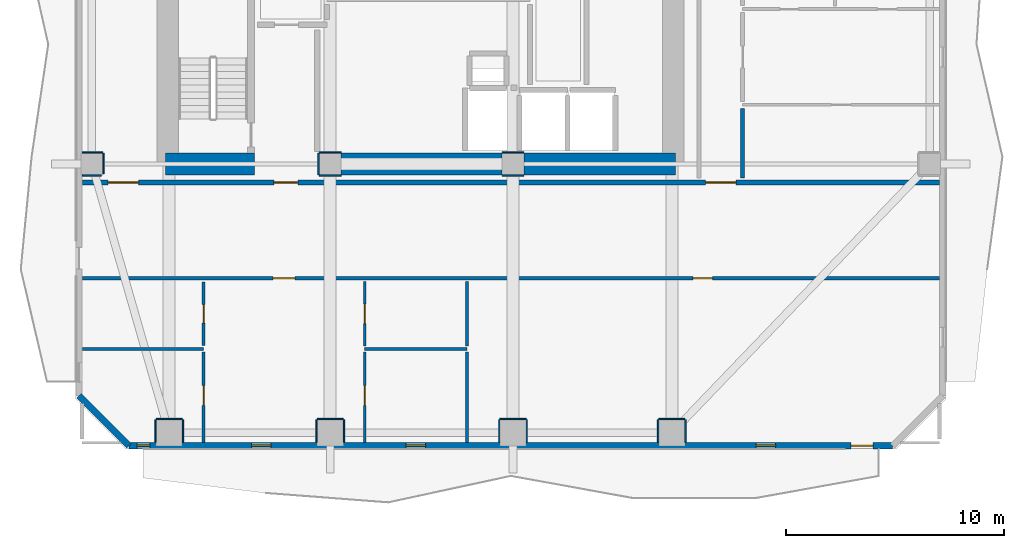
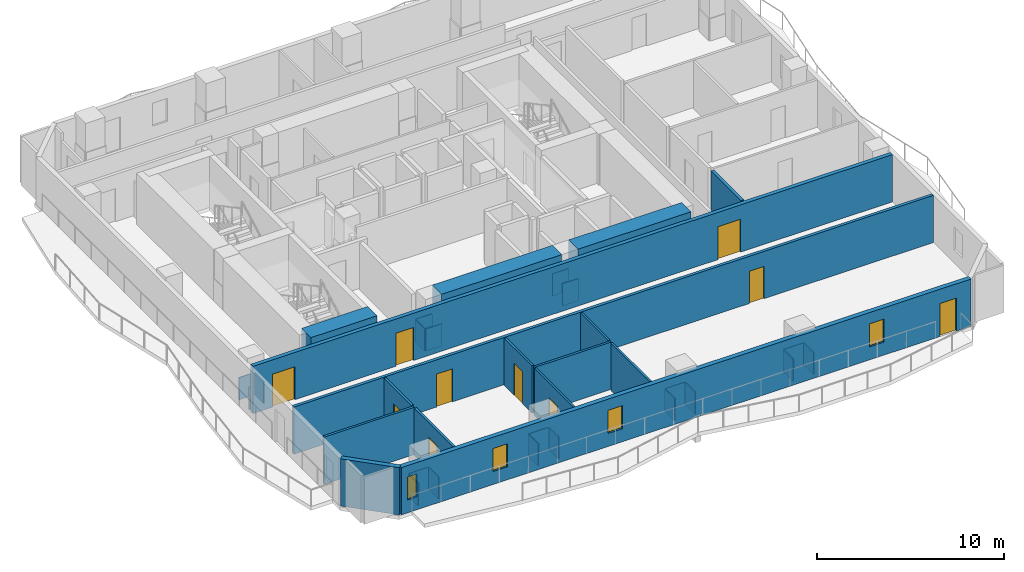
# One storey, part 2 of 9: 36 walls, 10 doors, 4 windows, 14 openings.
"""IFC4 building model written with IfcOpenShell, lengths in metres."""

import ifcopenshell
import ifcopenshell.guid

model = None  # the IFC model being written
_history = None  # IfcOwnerHistory: only IFC2X3 demands one
_inside = {}  # id of a spatial element -> (the spatial element, [elements in it])
_under = {}  # id of a project, library or spatial element -> (it, [spatial elements below it])
_declared = {}  # id of a project -> (the project, [libraries it declares])
_typed = {}  # id of a type object -> (the type object, [elements of that type])
_made_of = {}  # id of a material, layer set ... -> (it, [elements and type objects made of it])


def new_model(schema):
    """Start an empty IFC model of exactly this schema.

    Asked for "IFC4X3", IfcOpenShell would pick the latest addendum, in which some entities
    have other attributes; the version numbers below select the first issue.
    IFC2X3 requires an IfcOwnerHistory on every rooted entity: one is made here for all.
    """
    global model, _history
    if schema == "IFC4X3":
        model = ifcopenshell.file(schema_version=(4, 3, 0, 0))
    else:
        model = ifcopenshell.file(schema=schema)
    _inside.clear()
    _under.clear()
    _declared.clear()
    _typed.clear()
    _made_of.clear()
    _history = None
    if model.schema == "IFC2X3":
        org = make("IfcOrganization", Name="unknown")
        user = make(
            "IfcPersonAndOrganization",
            ThePerson=make("IfcPerson", FamilyName="unknown"),
            TheOrganization=org,
        )
        app = make(
            "IfcApplication",
            ApplicationDeveloper=org,
            Version="unknown",
            ApplicationFullName="unknown",
            ApplicationIdentifier="unknown",
        )
        _history = make(
            "IfcOwnerHistory",
            OwningUser=user,
            OwningApplication=app,
            ChangeAction="ADDED",
            CreationDate=0,
        )
    return model


def make(cls, **values):
    """One entity of the class cls with the attributes given. An attribute that is None is left unset."""
    return model.create_entity(
        cls, **{name: value for name, value in values.items() if value is not None}
    )


def rooted(cls, **values):
    """An entity with a GlobalId (a new one), such as an element, a storey or a relation."""
    return make(cls, GlobalId=ifcopenshell.guid.new(), OwnerHistory=_history, **values)


def si_unit(unit_type, name, prefix=None):
    """IfcSIUnit, for example si_unit("LENGTHUNIT", "METRE", prefix="MILLI")."""
    return make("IfcSIUnit", UnitType=unit_type, Prefix=prefix, Name=name)


def assignment(units):
    """IfcUnitAssignment: the units of a project."""
    return None if units is None else make("IfcUnitAssignment", Units=units)


def point(xyz):
    """IfcCartesianPoint."""
    return None if xyz is None else make("IfcCartesianPoint", Coordinates=xyz)


def direction(xyz):
    """IfcDirection."""
    return None if xyz is None else make("IfcDirection", DirectionRatios=xyz)


def frame(location, z_axis=None, x_axis=None):
    """IfcAxis2Placement3D, a coordinate frame: its origin and axes. An axis left out is left unset."""
    return make(
        "IfcAxis2Placement3D",
        Location=point(location),
        Axis=direction(z_axis),
        RefDirection=direction(x_axis),
    )


def frame_2d(location, x_axis=None):
    """IfcAxis2Placement2D, a coordinate frame in the plane: its origin and x axis."""
    return make(
        "IfcAxis2Placement2D", Location=point(location), RefDirection=direction(x_axis)
    )


def origin():
    """The frame at (0, 0, 0) with its axes left unset."""
    return frame((0.0, 0.0, 0.0))


def place(relative_to, where):
    """IfcLocalPlacement: puts the frame where relative to a parent placement (None: the world)."""
    return make(
        "IfcLocalPlacement", PlacementRelTo=relative_to, RelativePlacement=where
    )


def context(
    kind, dimensions, precision=None, world=None, true_north=None, identifier=None
):
    """IfcGeometricRepresentationContext, for example the 3D "Model" context."""
    return make(
        "IfcGeometricRepresentationContext",
        ContextIdentifier=identifier,
        ContextType=kind,
        CoordinateSpaceDimension=dimensions,
        Precision=precision,
        WorldCoordinateSystem=world,
        TrueNorth=true_north,
    )


def subcontext(parent, identifier, kind, view, scale=None):
    """IfcGeometricRepresentationSubContext, for example "Body" below "Model"."""
    return make(
        "IfcGeometricRepresentationSubContext",
        ContextIdentifier=identifier,
        ContextType=kind,
        ParentContext=parent,
        TargetScale=scale,
        TargetView=view,
    )


def project(units=None, contexts=None):
    """IfcProject with its units and contexts."""
    return rooted(
        "IfcProject",
        Name="project",
        RepresentationContexts=contexts,
        UnitsInContext=assignment(units),
    )


def spatial(cls, under=None, at=None, **own):
    """A site, building, storey or space (cls), placed at a placement, below another one or the project."""
    s = rooted(cls, ObjectPlacement=at, **own)
    if under is not None:
        _under.setdefault(under.id(), (under, []))[1].append(s)
    return s


def profile(cls, at=None, kind="AREA", **sizes):
    """A parametric profile (cls). Its sizes go by their IFC names, for example OverallWidth=200.0."""
    return make(cls, ProfileType=kind, Position=at, **sizes)


def rectangle(**sizes):
    """IfcRectangleProfileDef."""
    return profile("IfcRectangleProfileDef", **sizes)


def extrude(swept, where, along, depth):
    """IfcExtrudedAreaSolid: the profile swept, set in the frame where, extruded along a direction by depth."""
    return make(
        "IfcExtrudedAreaSolid",
        SweptArea=swept,
        Position=where,
        ExtrudedDirection=direction(along),
        Depth=depth,
    )


def shape(context_of_items, identifier, shape_type, items):
    """IfcShapeRepresentation: the items that make up one representation, for example the "Body"."""
    return make(
        "IfcShapeRepresentation",
        ContextOfItems=context_of_items,
        RepresentationIdentifier=identifier,
        RepresentationType=shape_type,
        Items=items,
    )


def material(Name=None, Category=None):
    """IfcMaterial."""
    return make("IfcMaterial", Name=Name, Category=Category)


def layer(
    of_material, thickness, ventilated=None, Name=None, Category=None, Priority=None
):
    """IfcMaterialLayer: one layer of a wall or slab, of a material (None: an air gap)."""
    return make(
        "IfcMaterialLayer",
        Material=of_material,
        LayerThickness=thickness,
        IsVentilated=ventilated,
        Name=Name,
        Category=Category,
        Priority=Priority,
    )


def layer_set(layers, Name=None):
    """IfcMaterialLayerSet."""
    return make("IfcMaterialLayerSet", MaterialLayers=layers, LayerSetName=Name)


def made_of(thing, what):
    """Note that an element or type object is made of a material, layer set ...; save() writes the relation."""
    if what is not None:
        _made_of.setdefault(what.id(), (what, []))[1].append(thing)
    return thing


def type_object(cls, material=None, **own):
    """A type object (cls), such as IfcWallType, which elements share."""
    return made_of(rooted(cls, **own), material)


def element(
    cls,
    number,
    at=None,
    inside=None,
    cuts=None,
    type_object=None,
    material=None,
    context=None,
    identifier="Body",
    shape_type=None,
    held_by="IfcProductDefinitionShape",
    body=None,
    shapes=None,
    **own,
):
    """One element of the class cls, such as IfcWall. Its Tag is "e" and its number.

    at: its placement. inside: the storey or other place that contains it. cuts: it is an
    opening in that element (IfcRelVoidsElement). A single representation is given by context,
    identifier, shape_type and body (its items); several are given by shapes. held_by: the class
    of the entity that holds the representations. save() writes the other relations.
    """
    e = rooted(cls, Tag="e%d" % number, ObjectPlacement=at, **own)
    if body is not None:
        shapes = [shape(context, identifier, shape_type, body)]
    if shapes is not None:
        e.Representation = make(held_by, Representations=shapes)
    if inside is not None:
        _inside.setdefault(inside.id(), (inside, []))[1].append(e)
    if cuts is not None:
        rooted(
            "IfcRelVoidsElement", RelatingBuildingElement=cuts, RelatedOpeningElement=e
        )
    if type_object is not None:
        _typed.setdefault(type_object.id(), (type_object, []))[1].append(e)
    return made_of(e, material)


def fill(opening, filler):
    """IfcRelFillsElement: the door or window that sits in an opening."""
    return rooted(
        "IfcRelFillsElement",
        RelatingOpeningElement=opening,
        RelatedBuildingElement=filler,
    )


def aggregate(whole, parts):
    """IfcRelAggregates: a whole, such as a stair, and the parts it consists of."""
    return rooted("IfcRelAggregates", RelatingObject=whole, RelatedObjects=parts)


def save(model, path):
    """Write the relations noted so far, then the file.

    IfcRelAggregates (storeys below a building ...), IfcRelContainedInSpatialStructure (elements
    in a storey), IfcRelDefinesByType, IfcRelAssociatesMaterial and IfcRelDeclares: one each for
    every whole, place, type object, material and project.
    """
    for whole, parts in _under.values():
        aggregate(whole, parts)
    for where, things in _inside.values():
        rooted(
            "IfcRelContainedInSpatialStructure",
            RelatedElements=things,
            RelatingStructure=where,
        )
    for kind, things in _typed.values():
        rooted("IfcRelDefinesByType", RelatedObjects=things, RelatingType=kind)
    for what, things in _made_of.values():
        rooted("IfcRelAssociatesMaterial", RelatedObjects=things, RelatingMaterial=what)
    for by, libraries in _declared.values():
        rooted("IfcRelDeclares", RelatingContext=by, RelatedDefinitions=libraries)
    model.write(path)


model = new_model("IFC4")

# Units and contexts
model_context = context("Model", 3, precision=1e-05, world=origin(), true_north=direction((0.0, 1.0)))
body_context = subcontext(model_context, "Body", "Model", "MODEL_VIEW")
ifc_project = project(units=[si_unit("LENGTHUNIT", "METRE"), si_unit("AREAUNIT", "SQUARE_METRE"), si_unit("VOLUMEUNIT", "CUBIC_METRE"), si_unit("PLANEANGLEUNIT", "RADIAN"), si_unit("MASSUNIT", "GRAM", prefix="KILO")], contexts=[model_context])

# Site, building, storey
site_placement = place(None, origin())
site = spatial("IfcSite", under=ifc_project, at=site_placement, CompositionType="ELEMENT")
building_placement = place(site_placement, origin())
building = spatial("IfcBuilding", under=site, at=building_placement, Name="Solanera Arch Residences", CompositionType="ELEMENT")
storey_placement = place(building_placement, frame((0.0, 0.0, 139.280029296875)))
storey = spatial("IfcBuildingStorey", under=building, at=storey_placement, Name="L40", CompositionType="ELEMENT", Elevation=139.280029296875)

# Walls
ifc_material_1 = material(Name="Fire-Rated Gypsum Stud Partition", Category="gypsum")
ifc_layer_1 = layer(ifc_material_1, 0.06005859375)
ifc_layer_set_1 = layer_set([ifc_layer_1], Name="Fire-Rated Gypsum Stud Partition")
wall_type_1 = type_object("IfcWallType", Name="Column Acoustic Furring Wall 60", PredefinedType="PARTITIONING", material=ifc_layer_set_1)
for number, where, z_axis, x_axis, name in (
    (1, (20.300048828125, 21.468017578125, 0.0), (0.0, 0.0, 1.0), (1.0, 0.0, 0.0), "L40 Column Furring 1S"),
    (2, (20.300048828125, 22.531982421875, 0.0), (0.0, 0.0, 1.0), (1.0, 0.0, 0.0), "L40 Column Furring 1N"),
    (3, (20.26806640625, 21.5, 0.0), (0.0, 0.0, 1.0), (0.0, 1.0, 0.0), "L40 Column Furring 1W"),
    (4, (28.699951171875, 21.468017578125, 0.0), (0.0, 0.0, 1.0), (1.0, 0.0, 0.0), "L40 Column Furring 2S"),
    (5, (28.699951171875, 22.531982421875, 0.0), (0.0, 0.0, 1.0), (1.0, 0.0, 0.0), "L40 Column Furring 2N"),
):
    element("IfcWall", number, at=place(storey_placement, frame(where, z_axis=z_axis, x_axis=x_axis)), inside=storey, type_object=wall_type_1, Name=name, PredefinedType="PARTITIONING", context=body_context, shape_type="SweptSolid", body=[
        extrude(rectangle(XDim=1.0, YDim=0.06005859375, at=frame_2d((0.5, 0.0))), origin(), (0.0, 0.0, 1.0), 1.449951171875),
    ])
wall_1_placement = place(storey_placement, frame((12.800048828125, 10.281982421875, 0.0), z_axis=(0.0, 0.0, 1.0), x_axis=(1.0, 0.0, 0.0)))
element("IfcWall", 6, at=wall_1_placement, inside=storey, type_object=wall_type_1, Name="L40 Column Furring 9N", PredefinedType="PARTITIONING", context=body_context, shape_type="SweptSolid", body=[
    extrude(rectangle(XDim=1.199951171875, YDim=0.06005859375, at=frame_2d((0.60009765625, 0.0))), origin(), (0.0, 0.0, 1.0), 1.449951171875),
])
for number, where, z_axis, x_axis, name in (
    (7, (12.76806640625, 9.2099609375, 0.0), (0.0, 0.0, 1.0), (0.0, 1.0, 0.0), "L40 Column Furring 9W"),
    (8, (14.031982421875, 9.2099609375, 0.0), (0.0, 0.0, 1.0), (0.0, 1.0, 0.0), "L40 Column Furring 9E"),
):
    element("IfcWall", number, at=place(storey_placement, frame(where, z_axis=z_axis, x_axis=x_axis)), inside=storey, type_object=wall_type_1, Name=name, PredefinedType="PARTITIONING", context=body_context, shape_type="SweptSolid", body=[
        extrude(rectangle(XDim=1.0400390625, YDim=0.06005859375, at=frame_2d((0.52001953125, 0.0))), origin(), (0.0, 0.0, 1.0), 1.449951171875),
    ])
wall_2_placement = place(storey_placement, frame((20.199951171875, 10.281982421875, 0.0), z_axis=(0.0, 0.0, 1.0), x_axis=(1.0, 0.0, 0.0)))
element("IfcWall", 9, at=wall_2_placement, inside=storey, type_object=wall_type_1, Name="L40 Column Furring 11N", PredefinedType="PARTITIONING", context=body_context, shape_type="SweptSolid", body=[
    extrude(rectangle(XDim=1.199951171875, YDim=0.06005859375, at=frame_2d((0.60009765625, 0.0))), origin(), (0.0, 0.0, 1.0), 1.449951171875),
])
for number, where, z_axis, x_axis, name in (
    (10, (20.16796875, 9.2099609375, 0.0), (0.0, 0.0, 1.0), (0.0, 1.0, 0.0), "L40 Column Furring 11W"),
    (11, (21.431884765625, 9.2099609375, 0.0), (0.0, 0.0, 1.0), (0.0, 1.0, 0.0), "L40 Column Furring 11E"),
):
    element("IfcWall", number, at=place(storey_placement, frame(where, z_axis=z_axis, x_axis=x_axis)), inside=storey, type_object=wall_type_1, Name=name, PredefinedType="PARTITIONING", context=body_context, shape_type="SweptSolid", body=[
        extrude(rectangle(XDim=1.0400390625, YDim=0.06005859375, at=frame_2d((0.52001953125, 0.0))), origin(), (0.0, 0.0, 1.0), 1.449951171875),
    ])
wall_3_placement = place(storey_placement, frame((28.60009765625, 10.281982421875, 0.0), z_axis=(0.0, 0.0, 1.0), x_axis=(1.0, 0.0, 0.0)))
element("IfcWall", 12, at=wall_3_placement, inside=storey, type_object=wall_type_1, Name="L40 Column Furring 13N", PredefinedType="PARTITIONING", context=body_context, shape_type="SweptSolid", body=[
    extrude(rectangle(XDim=1.199951171875, YDim=0.06005859375, at=frame_2d((0.60009765625, 0.0))), origin(), (0.0, 0.0, 1.0), 1.449951171875),
])
for number, where, z_axis, x_axis, name in (
    (13, (28.568115234375, 9.2099609375, 0.0), (0.0, 0.0, 1.0), (0.0, 1.0, 0.0), "L40 Column Furring 13W"),
    (14, (29.83203125, 9.2099609375, 0.0), (0.0, 0.0, 1.0), (0.0, 1.0, 0.0), "L40 Column Furring 13E"),
):
    element("IfcWall", number, at=place(storey_placement, frame(where, z_axis=z_axis, x_axis=x_axis)), inside=storey, type_object=wall_type_1, Name=name, PredefinedType="PARTITIONING", context=body_context, shape_type="SweptSolid", body=[
        extrude(rectangle(XDim=1.0400390625, YDim=0.06005859375, at=frame_2d((0.52001953125, 0.0))), origin(), (0.0, 0.0, 1.0), 1.449951171875),
    ])
wall_4_placement = place(storey_placement, frame((35.89990234375, 10.281982421875, 0.0), z_axis=(0.0, 0.0, 1.0), x_axis=(1.0, 0.0, 0.0)))
element("IfcWall", 15, at=wall_4_placement, inside=storey, type_object=wall_type_1, Name="L40 Column Furring 15N", PredefinedType="PARTITIONING", context=body_context, shape_type="SweptSolid", body=[
    extrude(rectangle(XDim=1.2001953125, YDim=0.06005859375, at=frame_2d((0.60009765625, 0.0))), origin(), (0.0, 0.0, 1.0), 1.449951171875),
])
for number, where, z_axis, x_axis, name in (
    (16, (35.867919921875, 9.2099609375, 0.0), (0.0, 0.0, 1.0), (0.0, 1.0, 0.0), "L40 Column Furring 15W"),
    (17, (37.132080078125, 9.2099609375, 0.0), (0.0, 0.0, 1.0), (0.0, 1.0, 0.0), "L40 Column Furring 15E"),
):
    element("IfcWall", number, at=place(storey_placement, frame(where, z_axis=z_axis, x_axis=x_axis)), inside=storey, type_object=wall_type_1, Name=name, PredefinedType="PARTITIONING", context=body_context, shape_type="SweptSolid", body=[
        extrude(rectangle(XDim=1.0400390625, YDim=0.06005859375, at=frame_2d((0.52001953125, 0.0))), origin(), (0.0, 0.0, 1.0), 1.449951171875),
    ])
wall_5_placement = place(storey_placement, frame((9.409912109375, 21.468017578125, 0.0), z_axis=(0.0, 0.0, 1.0), x_axis=(1.0, 0.0, 0.0)))
element("IfcWall", 18, at=wall_5_placement, inside=storey, type_object=wall_type_1, Name="L40 Column Furring 17S", PredefinedType="PARTITIONING", context=body_context, shape_type="SweptSolid", body=[
    extrude(rectangle(XDim=0.87109375, YDim=0.06005859375, at=frame_2d((0.435546875, 0.0))), origin(), (0.0, 0.0, 1.0), 1.449951171875),
])
wall_6_placement = place(storey_placement, frame((9.409912109375, 22.531982421875, 0.0), z_axis=(0.0, 0.0, 1.0), x_axis=(1.0, 0.0, 0.0)))
element("IfcWall", 19, at=wall_6_placement, inside=storey, type_object=wall_type_1, Name="L40 Column Furring 17N", PredefinedType="PARTITIONING", context=body_context, shape_type="SweptSolid", body=[
    extrude(rectangle(XDim=0.940185546875, YDim=0.06005859375, at=frame_2d((0.47021484375, 0.0))), origin(), (0.0, 0.0, 1.0), 1.449951171875),
])
wall_7_placement = place(storey_placement, frame((10.382080078125, 21.5439453125, 0.0), z_axis=(0.0, 0.0, 1.0), x_axis=(0.0, 1.0, 0.0)))
element("IfcWall", 20, at=wall_7_placement, inside=storey, type_object=wall_type_1, Name="L40 Column Furring 17E", PredefinedType="PARTITIONING", context=body_context, shape_type="SweptSolid", body=[
    extrude(rectangle(XDim=0.9560546875, YDim=0.06005859375, at=frame_2d((0.47802734375, 0.0))), origin(), (0.0, 0.0, 1.0), 1.449951171875),
])
ifc_material_2 = material(Name="Concrete C55/67 (f'c = 60 MPa)", Category="concrete")
ifc_layer_2 = layer(ifc_material_2, 1.0)
ifc_layer_set_2 = layer_set([ifc_layer_2], Name="Concrete C55/67 (f'c = 60 MPa)")
wall_type_2 = type_object("IfcWallType", Name="Core Shear Wall CW-1000", PredefinedType="SHEAR", material=ifc_layer_set_2)
wall_8_placement = place(storey_placement, frame((13.239990234375, 22.0, 0.0), z_axis=(0.0, 0.0, 1.0), x_axis=(1.0, 0.0, 0.0)))
element("IfcWall", 21, at=wall_8_placement, inside=storey, type_object=wall_type_2, Name="L40 South-West Core Shear Wall", PredefinedType="SHEAR", context=body_context, shape_type="SweptSolid", body=[
    extrude(rectangle(XDim=4.080078125, YDim=1.0, at=frame_2d((2.0400390625, 0.0))), origin(), (0.0, 0.0, 1.0), 3.320068359375),
])
wall_9_placement = place(storey_placement, frame((29.705078125, 22.0, 0.0), z_axis=(0.0, 0.0, 1.0), x_axis=(1.0, 0.0, 0.0)))
element("IfcWall", 22, at=wall_9_placement, inside=storey, type_object=wall_type_2, Name="L40 South-East Core Shear Wall", PredefinedType="SHEAR", context=body_context, shape_type="SweptSolid", body=[
    extrude(rectangle(XDim=6.954833984375, YDim=1.0, at=frame_2d((3.4775390625, 0.0))), origin(), (0.0, 0.0, 1.0), 3.320068359375),
])
wall_10_placement = place(storey_placement, frame((21.304931640625, 22.0, 0.0), z_axis=(0.0, 0.0, 1.0), x_axis=(1.0, 0.0, 0.0)))
element("IfcWall", 23, at=wall_10_placement, inside=storey, type_object=wall_type_2, Name="L40 Central South Core Shear Wall", PredefinedType="SHEAR", context=body_context, shape_type="SweptSolid", body=[
    extrude(rectangle(XDim=7.39013671875, YDim=1.0, at=frame_2d((3.695068359375, 0.0))), origin(), (0.0, 0.0, 1.0), 3.320068359375),
])

# Wall, openings, doors
ifc_material_3 = material(Name="Autoclaved Aerated Concrete Blockwork", Category="masonry")
ifc_layer_3 = layer(ifc_material_3, 0.179931640625)
ifc_layer_set_3 = layer_set([ifc_layer_3], Name="Autoclaved Aerated Concrete Blockwork")
wall_type_3 = type_object("IfcWallType", Name="Corridor Fire Partition 180", PredefinedType="PARTITIONING", material=ifc_layer_set_3)
wall_11_placement = place(storey_placement, frame((9.406982421875, 16.75, 0.0), z_axis=(0.0, 0.0, 1.0), x_axis=(1.0, 0.0, 0.0)))
wall_11 = element("IfcWall", 24, at=wall_11_placement, inside=storey, type_object=wall_type_3, Name="L40 Interior Partition H6", PredefinedType="PARTITIONING", context=body_context, shape_type="SweptSolid", body=[
    extrude(rectangle(XDim=39.385986328125, YDim=0.179931640625, at=frame_2d((19.69287109375, 0.0))), origin(), (0.0, 0.0, 1.0), 3.080078125),
])
opening_1_placement = place(wall_11_placement, frame((8.77294921875, 0.0, 0.0)))
opening_1 = element("IfcOpeningElement", 25, at=opening_1_placement, cuts=wall_11, Name="Opening DI-01", PredefinedType="OPENING", context=body_context, shape_type="SweptSolid", body=[
    extrude(rectangle(XDim=1.0, YDim=2.14990234375, at=frame_2d((0.5, 1.074951171875))), frame((0.0, 0.10009765625, 0.0), z_axis=(0.0, -1.0, 0.0), x_axis=(1.0, 0.0, 0.0)), (0.0, 0.0, 1.0), 0.1999),
])
opening_2_placement = place(wall_11_placement, frame((28.06005859375, 0.0, 0.0)))
opening_2 = element("IfcOpeningElement", 26, at=opening_2_placement, cuts=wall_11, Name="Opening DI-02", PredefinedType="OPENING", context=body_context, shape_type="SweptSolid", body=[
    extrude(rectangle(XDim=0.89990234375, YDim=2.10009765625, at=frame_2d((0.449951171875, 1.050048828125))), frame((0.0, 0.10009765625, 0.0), z_axis=(0.0, -1.0, 0.0), x_axis=(1.0, 0.0, 0.0)), (0.0, 0.0, 1.0), 0.1999),
])
ifc_material_4 = material(Name="Fire-Rated Architectural Hardwood", Category="wood")
door_type_1 = type_object("IfcDoorType", Name="Suite Room Swing Door DI-02", OperationType="NOTDEFINED", PredefinedType="DOOR", material=ifc_material_4)
door_1_placement = place(opening_2_placement, origin())
door_1 = element("IfcDoor", 27, at=door_1_placement, inside=storey, type_object=door_type_1, Name="DR-L40-IN-021", OperationType="SINGLE_SWING_RIGHT", OverallHeight=2.10009765625, OverallWidth=0.89990234375, PredefinedType="DOOR", context=body_context, shape_type="SweptSolid", body=[
    extrude(rectangle(XDim=0.89990234375, YDim=2.10009765625, at=frame_2d((0.449951171875, 1.050048828125))), frame((0.0, 0.02490234375, 0.0), z_axis=(0.0, -1.0, 0.0), x_axis=(1.0, 0.0, 0.0)), (0.0, 0.0, 1.0), 0.050048828125),
])
fill(opening_2, door_1)
ifc_material_5 = material(Name="Fire-Rated Architectural Hardwood", Category="wood")
door_type_2 = type_object("IfcDoorType", Name="Unit Entrance Fire Door DI-01", OperationType="NOTDEFINED", PredefinedType="DOOR", material=ifc_material_5)
door_2_placement = place(opening_1_placement, origin())
door_2 = element("IfcDoor", 28, at=door_2_placement, inside=storey, type_object=door_type_2, Name="DR-L40-IN-016", OperationType="SINGLE_SWING_LEFT", OverallHeight=2.14990234375, OverallWidth=1.0, PredefinedType="DOOR", context=body_context, shape_type="SweptSolid", body=[
    extrude(rectangle(XDim=1.0, YDim=2.14990234375, at=frame_2d((0.5, 1.074951171875))), frame((0.0, 0.02490234375, 0.0), z_axis=(0.0, -1.0, 0.0), x_axis=(1.0, 0.0, 0.0)), (0.0, 0.0, 1.0), 0.050048828125),
])
fill(opening_1, door_2)

# Wall
wall_12_placement = place(storey_placement, frame((39.75, 21.367919921875, 0.0), z_axis=(0.0, 0.0, 1.0), x_axis=(0.0, 1.0, 0.0)))
element("IfcWall", 29, at=wall_12_placement, inside=storey, type_object=wall_type_3, Name="L40 Interior Partition V11 1", PredefinedType="PARTITIONING", context=body_context, shape_type="SweptSolid", body=[
    extrude(rectangle(XDim=3.193115234375, YDim=0.179931640625, at=frame_2d((1.5966796875, 0.0))), origin(), (0.0, 0.0, 1.0), 3.080078125),
])

# Wall, openings, door, windows
ifc_material_6 = material(Name="Precast Concrete C35/45", Category="concrete")
ifc_layer_4 = layer(ifc_material_6, 0.280029296875)
ifc_layer_set_4 = layer_set([ifc_layer_4], Name="Precast Concrete C35/45")
wall_type_4 = type_object("IfcWallType", Name="Exterior Wall Precast Masonry-Frame 280", PredefinedType="STANDARD", material=ifc_layer_set_4)
wall_13_placement = place(storey_placement, frame((46.64501953125, 9.054931640625, 0.0), z_axis=(0.0, 0.0, 1.0), x_axis=(-1.0, 0.0, 0.0)))
wall_13 = element("IfcWall", 30, at=wall_13_placement, inside=storey, type_object=wall_type_4, Name="L40 Tower Exterior Precast Masonry-Frame Wall S", PredefinedType="STANDARD", context=body_context, shape_type="SweptSolid", body=[
    extrude(rectangle(XDim=35.090087890625, YDim=0.280029296875, at=frame_2d((17.544921875, 0.0))), origin(), (0.0, 0.0, 1.0), 3.080078125),
])
opening_3_placement = place(wall_13_placement, frame((0.904052734375, 0.0, 0.0)))
opening_3 = element("IfcOpeningElement", 31, at=opening_3_placement, cuts=wall_13, Name="Opening DB-01", PredefinedType="OPENING", context=body_context, shape_type="SweptSolid", body=[
    extrude(rectangle(XDim=1.0, YDim=2.14990234375, at=frame_2d((0.5, 1.074951171875))), frame((0.0, 0.14990234375, 0.0), z_axis=(0.0, -1.0, 0.0), x_axis=(1.0, 0.0, 0.0)), (0.0, 0.0, 1.0), 0.3),
])
opening_4_placement = place(wall_13_placement, frame((28.554931640625, 0.0, 0.85009765625)))
opening_4 = element("IfcOpeningElement", 32, at=opening_4_placement, cuts=wall_13, Name="Opening W-06", PredefinedType="OPENING", context=body_context, shape_type="SweptSolid", body=[
    extrude(rectangle(XDim=0.89990234375, YDim=1.5, at=frame_2d((0.449951171875, 0.75))), frame((0.0, 0.14990234375, 0.0), z_axis=(0.0, -1.0, 0.0), x_axis=(1.0, 0.0, 0.0)), (0.0, 0.0, 1.0), 0.3),
])
opening_5_placement = place(wall_13_placement, frame((34.133056640625, 0.0, 0.85009765625)))
opening_5 = element("IfcOpeningElement", 33, at=opening_5_placement, cuts=wall_13, Name="Opening W-14", PredefinedType="OPENING", context=body_context, shape_type="SweptSolid", body=[
    extrude(rectangle(XDim=0.580078125, YDim=1.5, at=frame_2d((0.2900390625, 0.75))), frame((0.0, 0.14990234375, 0.0), z_axis=(0.0, -1.0, 0.0), x_axis=(1.0, 0.0, 0.0)), (0.0, 0.0, 1.0), 0.3),
])
opening_6_placement = place(wall_13_placement, frame((21.464111328125, 0.0, 0.85009765625)))
opening_6 = element("IfcOpeningElement", 34, at=opening_6_placement, cuts=wall_13, Name="Opening W-06", PredefinedType="OPENING", context=body_context, shape_type="SweptSolid", body=[
    extrude(rectangle(XDim=0.89990234375, YDim=1.5, at=frame_2d((0.449951171875, 0.75))), frame((0.0, 0.14990234375, 0.0), z_axis=(0.0, -1.0, 0.0), x_axis=(1.0, 0.0, 0.0)), (0.0, 0.0, 1.0), 0.3),
])
opening_7_placement = place(wall_13_placement, frame((5.3740234375, 0.0, 0.85009765625)))
opening_7 = element("IfcOpeningElement", 35, at=opening_7_placement, cuts=wall_13, Name="Opening W-06", PredefinedType="OPENING", context=body_context, shape_type="SweptSolid", body=[
    extrude(rectangle(XDim=0.89990234375, YDim=1.5, at=frame_2d((0.449951171875, 0.75))), frame((0.0, 0.14990234375, 0.0), z_axis=(0.0, -1.0, 0.0), x_axis=(1.0, 0.0, 0.0)), (0.0, 0.0, 1.0), 0.3),
])
ifc_material_7 = material(Name="Anodised Aluminium Alloy 6063-T6", Category="aluminium")
door_type_3 = type_object("IfcDoorType", Name="Glazed Balcony Swing Door DB-01", OperationType="NOTDEFINED", PredefinedType="DOOR", material=ifc_material_7)
door_3_placement = place(opening_3_placement, origin())
door_3 = element("IfcDoor", 36, at=door_3_placement, inside=storey, type_object=door_type_3, Name="DR-L40-OUT-01", OperationType="SINGLE_SWING_RIGHT", OverallHeight=2.14990234375, OverallWidth=1.0, PredefinedType="DOOR", context=body_context, shape_type="SweptSolid", body=[
    extrude(rectangle(XDim=1.0, YDim=2.14990234375, at=frame_2d((0.5, 1.074951171875))), frame((0.0, 0.02490234375, 0.0), z_axis=(0.0, -1.0, 0.0), x_axis=(1.0, 0.0, 0.0)), (0.0, 0.0, 1.0), 0.050048828125),
])
fill(opening_3, door_3)
ifc_material_8 = material(Name="Double Glazed Low-E Laminated Glass", Category="glass")
window_type_1 = type_object("IfcWindowType", Name="Punched Window W-06", PartitioningType="SINGLE_PANEL", PredefinedType="WINDOW", material=ifc_material_8)
window_1_placement = place(opening_4_placement, origin())
window_1 = element("IfcWindow", 37, at=window_1_placement, inside=storey, type_object=window_type_1, Name="L40 4001-LIV Punched Window", OverallHeight=1.5, OverallWidth=0.89990234375, PartitioningType="SINGLE_PANEL", PredefinedType="WINDOW", context=body_context, shape_type="SweptSolid", body=[
    extrude(rectangle(XDim=0.89990234375, YDim=1.5, at=frame_2d((0.449951171875, 0.75))), frame((0.0, 0.030029296875, 0.0), z_axis=(0.0, -1.0, 0.0), x_axis=(1.0, 0.0, 0.0)), (0.0, 0.0, 1.0), 0.06005859375),
])
fill(opening_4, window_1)
window_2_placement = place(opening_6_placement, origin())
window_2 = element("IfcWindow", 38, at=window_2_placement, inside=storey, type_object=window_type_1, Name="L40 4001-BR2 Punched Window", OverallHeight=1.5, OverallWidth=0.89990234375, PartitioningType="SINGLE_PANEL", PredefinedType="WINDOW", context=body_context, shape_type="SweptSolid", body=[
    extrude(rectangle(XDim=0.89990234375, YDim=1.5, at=frame_2d((0.449951171875, 0.75))), frame((0.0, 0.030029296875, 0.0), z_axis=(0.0, -1.0, 0.0), x_axis=(1.0, 0.0, 0.0)), (0.0, 0.0, 1.0), 0.06005859375),
])
fill(opening_6, window_2)
window_3_placement = place(opening_7_placement, origin())
window_3 = element("IfcWindow", 39, at=window_3_placement, inside=storey, type_object=window_type_1, Name="L40 AMN-LNG Punched Window", OverallHeight=1.5, OverallWidth=0.89990234375, PartitioningType="SINGLE_PANEL", PredefinedType="WINDOW", context=body_context, shape_type="SweptSolid", body=[
    extrude(rectangle(XDim=0.89990234375, YDim=1.5, at=frame_2d((0.449951171875, 0.75))), frame((0.0, 0.030029296875, 0.0), z_axis=(0.0, -1.0, 0.0), x_axis=(1.0, 0.0, 0.0)), (0.0, 0.0, 1.0), 0.06005859375),
])
fill(opening_7, window_3)
ifc_material_9 = material(Name="Double Glazed Low-E Laminated Glass", Category="glass")
window_type_2 = type_object("IfcWindowType", Name="Punched Window W-14", PartitioningType="SINGLE_PANEL", PredefinedType="WINDOW", material=ifc_material_9)
window_4_placement = place(opening_5_placement, origin())
window_4 = element("IfcWindow", 40, at=window_4_placement, inside=storey, type_object=window_type_2, Name="L40 4001-BR1 Punched Window", OverallHeight=1.5, OverallWidth=0.580078125, PartitioningType="SINGLE_PANEL", PredefinedType="WINDOW", context=body_context, shape_type="SweptSolid", body=[
    extrude(rectangle(XDim=0.580078125, YDim=1.5, at=frame_2d((0.2900390625, 0.75))), frame((0.0, 0.030029296875, 0.0), z_axis=(0.0, -1.0, 0.0), x_axis=(1.0, 0.0, 0.0)), (0.0, 0.0, 1.0), 0.06005859375),
])
fill(opening_5, window_4)

# Wall
wall_14_placement = place(storey_placement, frame((11.554931640625, 9.054931640625, 0.0), z_axis=(0.0, 0.0, 1.0), x_axis=(-0.707106781187, 0.707106781187, 0.0)))
element("IfcWall", 41, at=wall_14_placement, inside=storey, type_object=wall_type_4, Name="L40 Tower Exterior Precast Masonry-Frame Wall CH7", PredefinedType="STANDARD", context=body_context, shape_type="SweptSolid", body=[
    extrude(rectangle(XDim=3.252685546875, YDim=0.280029296875, at=frame_2d((1.62646484375, 0.0))), origin(), (0.0, 0.0, 1.0), 3.080078125),
])

# Wall, openings, doors
ifc_material_10 = material(Name="Autoclaved Aerated Concrete Blockwork", Category="masonry")
ifc_layer_5 = layer(ifc_material_10, 0.239990234375)
ifc_layer_set_5 = layer_set([ifc_layer_5], Name="Autoclaved Aerated Concrete Blockwork")
wall_type_5 = type_object("IfcWallType", Name="Shaft Wall Fire-Rated 240", PredefinedType="PARTITIONING", material=ifc_layer_set_5)
wall_15_placement = place(storey_placement, frame((9.406982421875, 21.14990234375, 0.0), z_axis=(0.0, 0.0, 1.0), x_axis=(1.0, 0.0, 0.0)))
wall_15 = element("IfcWall", 42, at=wall_15_placement, inside=storey, type_object=wall_type_5, Name="L40 Interior Partition H1", PredefinedType="PARTITIONING", context=body_context, shape_type="SweptSolid", body=[
    extrude(rectangle(XDim=39.385986328125, YDim=0.239990234375, at=frame_2d((19.69287109375, 0.0))), origin(), (0.0, 0.0, 1.0), 3.080078125),
])
opening_8_placement = place(wall_15_placement, frame((8.802978515625, 0.0, 0.0)))
opening_8 = element("IfcOpeningElement", 43, at=opening_8_placement, cuts=wall_15, Name="Opening DF-02", PredefinedType="OPENING", context=body_context, shape_type="SweptSolid", body=[
    extrude(rectangle(XDim=1.10009765625, YDim=2.14990234375, at=frame_2d((0.550048828125, 1.074951171875))), frame((0.0, 0.1298828125, 0.0), z_axis=(0.0, -1.0, 0.0), x_axis=(1.0, 0.0, 0.0)), (0.0, 0.0, 1.0), 0.26),
])
opening_9_placement = place(wall_15_placement, frame((1.19189453125, 0.0, 0.0)))
opening_9 = element("IfcOpeningElement", 44, at=opening_9_placement, cuts=wall_15, Name="Opening DF-03", PredefinedType="OPENING", context=body_context, shape_type="SweptSolid", body=[
    extrude(rectangle(XDim=1.39990234375, YDim=2.14990234375, at=frame_2d((0.699951171875, 1.074951171875))), frame((0.0, 0.1298828125, 0.0), z_axis=(0.0, -1.0, 0.0), x_axis=(1.0, 0.0, 0.0)), (0.0, 0.0, 1.0), 0.26),
])
opening_10_placement = place(wall_15_placement, frame((28.64306640625, 0.0, 0.0)))
opening_10 = element("IfcOpeningElement", 45, at=opening_10_placement, cuts=wall_15, Name="Opening DF-03", PredefinedType="OPENING", context=body_context, shape_type="SweptSolid", body=[
    extrude(rectangle(XDim=1.39990234375, YDim=2.14990234375, at=frame_2d((0.699951171875, 1.074951171875))), frame((0.0, 0.1298828125, 0.0), z_axis=(0.0, -1.0, 0.0), x_axis=(1.0, 0.0, 0.0)), (0.0, 0.0, 1.0), 0.26),
])
ifc_material_11 = material(Name="Fire-Rated Architectural Hardwood", Category="wood")
door_type_4 = type_object("IfcDoorType", Name="Corridor Smoke Door DF-03", OperationType="NOTDEFINED", PredefinedType="DOOR", material=ifc_material_11)
door_4_placement = place(opening_9_placement, origin())
door_4 = element("IfcDoor", 46, at=door_4_placement, inside=storey, type_object=door_type_4, Name="DR-L40-IN-010", OperationType="SINGLE_SWING_LEFT", OverallHeight=2.14990234375, OverallWidth=1.39990234375, PredefinedType="DOOR", context=body_context, shape_type="SweptSolid", body=[
    extrude(rectangle(XDim=1.39990234375, YDim=2.14990234375, at=frame_2d((0.699951171875, 1.074951171875))), frame((0.0, 0.02490234375, 0.0), z_axis=(0.0, -1.0, 0.0), x_axis=(1.0, 0.0, 0.0)), (0.0, 0.0, 1.0), 0.050048828125),
])
fill(opening_9, door_4)
door_5_placement = place(opening_10_placement, origin())
door_5 = element("IfcDoor", 47, at=door_5_placement, inside=storey, type_object=door_type_4, Name="DR-L40-IN-011", OperationType="SINGLE_SWING_RIGHT", OverallHeight=2.14990234375, OverallWidth=1.39990234375, PredefinedType="DOOR", context=body_context, shape_type="SweptSolid", body=[
    extrude(rectangle(XDim=1.39990234375, YDim=2.14990234375, at=frame_2d((0.699951171875, 1.074951171875))), frame((0.0, 0.02490234375, 0.0), z_axis=(0.0, -1.0, 0.0), x_axis=(1.0, 0.0, 0.0)), (0.0, 0.0, 1.0), 0.050048828125),
])
fill(opening_10, door_5)
ifc_material_12 = material(Name="Fire-Rated Architectural Hardwood", Category="wood")
door_type_5 = type_object("IfcDoorType", Name="Firefighting Lobby Fire Door DF-02", OperationType="NOTDEFINED", PredefinedType="DOOR", material=ifc_material_12)
door_6_placement = place(opening_8_placement, origin())
door_6 = element("IfcDoor", 48, at=door_6_placement, inside=storey, type_object=door_type_5, Name="DR-L40-IN-008", OperationType="SINGLE_SWING_LEFT", OverallHeight=2.14990234375, OverallWidth=1.10009765625, PredefinedType="DOOR", context=body_context, shape_type="SweptSolid", body=[
    extrude(rectangle(XDim=1.10009765625, YDim=2.14990234375, at=frame_2d((0.550048828125, 1.074951171875))), frame((0.0, 0.02490234375, 0.0), z_axis=(0.0, -1.0, 0.0), x_axis=(1.0, 0.0, 0.0)), (0.0, 0.0, 1.0), 0.050048828125),
])
fill(opening_8, door_6)

# Wall, opening, door
ifc_material_13 = material(Name="Fire-Rated Gypsum Stud Partition", Category="gypsum")
ifc_layer_6 = layer(ifc_material_13, 0.1201171875)
ifc_layer_set_6 = layer_set([ifc_layer_6], Name="Fire-Rated Gypsum Stud Partition")
wall_type_6 = type_object("IfcWallType", Name="Unit Drywall Partition 120", PredefinedType="PARTITIONING", material=ifc_layer_set_6)
wall_16_placement = place(storey_placement, frame((22.3798828125, 9.20703125, 0.0), z_axis=(0.0, 0.0, 1.0), x_axis=(0.0, 1.0, 0.0)))
wall_16 = element("IfcWall", 49, at=wall_16_placement, inside=storey, type_object=wall_type_6, Name="L40 Interior Partition V16 1", PredefinedType="PARTITIONING", context=body_context, shape_type="SweptSolid", body=[
    extrude(rectangle(XDim=4.158935546875, YDim=0.1201171875, at=frame_2d((2.07958984375, 0.0))), origin(), (0.0, 0.0, 1.0), 3.080078125),
])
opening_11_placement = place(wall_16_placement, frame((1.7080078125, 0.0, 0.0)))
opening_11 = element("IfcOpeningElement", 50, at=opening_11_placement, cuts=wall_16, Name="Opening DI-03", PredefinedType="OPENING", context=body_context, shape_type="SweptSolid", body=[
    extrude(rectangle(XDim=0.89990234375, YDim=2.10009765625, at=frame_2d((0.449951171875, 1.050048828125))), frame((0.0, 0.070068359375, 0.0), z_axis=(0.0, -1.0, 0.0), x_axis=(1.0, 0.0, 0.0)), (0.0, 0.0, 1.0), 0.1401),
])
ifc_material_14 = material(Name="Fire-Rated Architectural Hardwood", Category="wood")
door_type_6 = type_object("IfcDoorType", Name="Bedroom Swing Door DI-03", OperationType="NOTDEFINED", PredefinedType="DOOR", material=ifc_material_14)
door_7_placement = place(opening_11_placement, origin())
door_7 = element("IfcDoor", 51, at=door_7_placement, inside=storey, type_object=door_type_6, Name="DR-L40-IN-020", OperationType="SINGLE_SWING_LEFT", OverallHeight=2.10009765625, OverallWidth=0.89990234375, PredefinedType="DOOR", context=body_context, shape_type="SweptSolid", body=[
    extrude(rectangle(XDim=0.89990234375, YDim=2.10009765625, at=frame_2d((0.449951171875, 1.050048828125))), frame((0.0, 0.02490234375, 0.0), z_axis=(0.0, -1.0, 0.0), x_axis=(1.0, 0.0, 0.0)), (0.0, 0.0, 1.0), 0.050048828125),
])
fill(opening_11, door_7)

wall_17_placement = place(storey_placement, frame((22.3798828125, 13.64208984375, 0.0), z_axis=(0.0, 0.0, 1.0), x_axis=(0.0, 1.0, 0.0)))
wall_17 = element("IfcWall", 52, at=wall_17_placement, inside=storey, type_object=wall_type_6, Name="L40 Interior Partition V16 2", PredefinedType="PARTITIONING", context=body_context, shape_type="SweptSolid", body=[
    extrude(rectangle(XDim=2.949951171875, YDim=0.1201171875, at=frame_2d((1.47509765625, 0.0))), origin(), (0.0, 0.0, 1.0), 3.080078125),
])
opening_12_placement = place(wall_17_placement, frame((1.02197265625, 0.0, 0.0)))
opening_12 = element("IfcOpeningElement", 53, at=opening_12_placement, cuts=wall_17, Name="Opening DI-02", PredefinedType="OPENING", context=body_context, shape_type="SweptSolid", body=[
    extrude(rectangle(XDim=0.89990234375, YDim=2.10009765625, at=frame_2d((0.449951171875, 1.050048828125))), frame((0.0, 0.070068359375, 0.0), z_axis=(0.0, -1.0, 0.0), x_axis=(1.0, 0.0, 0.0)), (0.0, 0.0, 1.0), 0.1401),
])
door_8_placement = place(opening_12_placement, origin())
door_8 = element("IfcDoor", 54, at=door_8_placement, inside=storey, type_object=door_type_1, Name="DR-L40-IN-019", OperationType="SINGLE_SWING_RIGHT", OverallHeight=2.10009765625, OverallWidth=0.89990234375, PredefinedType="DOOR", context=body_context, shape_type="SweptSolid", body=[
    extrude(rectangle(XDim=0.89990234375, YDim=2.10009765625, at=frame_2d((0.449951171875, 1.050048828125))), frame((0.0, 0.02490234375, 0.0), z_axis=(0.0, -1.0, 0.0), x_axis=(1.0, 0.0, 0.0)), (0.0, 0.0, 1.0), 0.050048828125),
])
fill(opening_12, door_8)

# Walls
wall_18_placement = place(storey_placement, frame((27.0830078125, 9.20703125, 0.0), z_axis=(0.0, 0.0, 1.0), x_axis=(0.0, 1.0, 0.0)))
element("IfcWall", 55, at=wall_18_placement, inside=storey, type_object=wall_type_6, Name="L40 Interior Partition V19 1", PredefinedType="PARTITIONING", context=body_context, shape_type="SweptSolid", body=[
    extrude(rectangle(XDim=4.158935546875, YDim=0.1201171875, at=frame_2d((2.07958984375, 0.0))), origin(), (0.0, 0.0, 1.0), 3.080078125),
])
wall_19_placement = place(storey_placement, frame((27.0830078125, 13.64208984375, 0.0), z_axis=(0.0, 0.0, 1.0), x_axis=(0.0, 1.0, 0.0)))
element("IfcWall", 56, at=wall_19_placement, inside=storey, type_object=wall_type_6, Name="L40 Interior Partition V19 2", PredefinedType="PARTITIONING", context=body_context, shape_type="SweptSolid", body=[
    extrude(rectangle(XDim=2.949951171875, YDim=0.1201171875, at=frame_2d((1.47509765625, 0.0))), origin(), (0.0, 0.0, 1.0), 3.080078125),
])
ifc_material_15 = material(Name="Autoclaved Aerated Concrete Blockwork", Category="masonry")
ifc_layer_7 = layer(ifc_material_15, 0.139892578125)
ifc_layer_set_7 = layer_set([ifc_layer_7], Name="Autoclaved Aerated Concrete Blockwork")
wall_type_7 = type_object("IfcWallType", Name="Wet-Room Partition 140", PredefinedType="PARTITIONING", material=ifc_layer_set_7)
wall_20_placement = place(storey_placement, frame((9.406982421875, 13.50390625, 0.0), z_axis=(0.0, 0.0, 1.0), x_axis=(1.0, 0.0, 0.0)))
element("IfcWall", 57, at=wall_20_placement, inside=storey, type_object=wall_type_7, Name="L40 Interior Partition H12", PredefinedType="PARTITIONING", context=body_context, shape_type="SweptSolid", body=[
    extrude(rectangle(XDim=5.572998046875, YDim=0.139892578125, at=frame_2d((2.78662109375, 0.0))), origin(), (0.0, 0.0, 1.0), 3.080078125),
])
wall_21_placement = place(storey_placement, frame((22.3798828125, 13.50390625, 0.0), z_axis=(0.0, 0.0, 1.0), x_axis=(1.0, 0.0, 0.0)))
element("IfcWall", 58, at=wall_21_placement, inside=storey, type_object=wall_type_7, Name="L40 Interior Partition H13", PredefinedType="PARTITIONING", context=body_context, shape_type="SweptSolid", body=[
    extrude(rectangle(XDim=4.703125, YDim=0.139892578125, at=frame_2d((2.3515625, 0.0))), origin(), (0.0, 0.0, 1.0), 3.080078125),
])

# Wall, opening, door
wall_22_placement = place(storey_placement, frame((14.97998046875, 9.20703125, 0.0), z_axis=(0.0, 0.0, 1.0), x_axis=(0.0, 1.0, 0.0)))
wall_22 = element("IfcWall", 59, at=wall_22_placement, inside=storey, type_object=wall_type_7, Name="L40 Interior Partition V14 1", PredefinedType="PARTITIONING", context=body_context, shape_type="SweptSolid", body=[
    extrude(rectangle(XDim=4.14892578125, YDim=0.139892578125, at=frame_2d((2.074462890625, 0.0))), origin(), (0.0, 0.0, 1.0), 3.080078125),
])
opening_13_placement = place(wall_22_placement, frame((1.7080078125, 0.0, 0.0)))
opening_13 = element("IfcOpeningElement", 60, at=opening_13_placement, cuts=wall_22, Name="Opening DI-03", PredefinedType="OPENING", context=body_context, shape_type="SweptSolid", body=[
    extrude(rectangle(XDim=0.89990234375, YDim=2.10009765625, at=frame_2d((0.449951171875, 1.050048828125))), frame((0.0, 0.079833984375, 0.0), z_axis=(0.0, -1.0, 0.0), x_axis=(1.0, 0.0, 0.0)), (0.0, 0.0, 1.0), 0.1599),
])
door_9_placement = place(opening_13_placement, origin())
door_9 = element("IfcDoor", 61, at=door_9_placement, inside=storey, type_object=door_type_6, Name="DR-L40-IN-018", OperationType="SINGLE_SWING_LEFT", OverallHeight=2.10009765625, OverallWidth=0.89990234375, PredefinedType="DOOR", context=body_context, shape_type="SweptSolid", body=[
    extrude(rectangle(XDim=0.89990234375, YDim=2.10009765625, at=frame_2d((0.449951171875, 1.050048828125))), frame((0.0, 0.02490234375, 0.0), z_axis=(0.0, -1.0, 0.0), x_axis=(1.0, 0.0, 0.0)), (0.0, 0.0, 1.0), 0.050048828125),
])
fill(opening_13, door_9)

wall_23_placement = place(storey_placement, frame((14.97998046875, 13.652099609375, 0.0), z_axis=(0.0, 0.0, 1.0), x_axis=(0.0, 1.0, 0.0)))
wall_23 = element("IfcWall", 62, at=wall_23_placement, inside=storey, type_object=wall_type_7, Name="L40 Interior Partition V14 2", PredefinedType="PARTITIONING", context=body_context, shape_type="SweptSolid", body=[
    extrude(rectangle(XDim=2.929931640625, YDim=0.139892578125, at=frame_2d((1.46484375, 0.0))), origin(), (0.0, 0.0, 1.0), 3.080078125),
])
opening_14_placement = place(wall_23_placement, frame((1.031982421875, 0.0, 0.0)))
opening_14 = element("IfcOpeningElement", 63, at=opening_14_placement, cuts=wall_23, Name="Opening DI-05", PredefinedType="OPENING", context=body_context, shape_type="SweptSolid", body=[
    extrude(rectangle(XDim=0.860107421875, YDim=2.02001953125, at=frame_2d((0.43017578125, 1.010009765625))), frame((0.0, 0.079833984375, 0.0), z_axis=(0.0, -1.0, 0.0), x_axis=(1.0, 0.0, 0.0)), (0.0, 0.0, 1.0), 0.1599),
])
ifc_material_16 = material(Name="Fire-Rated Architectural Hardwood", Category="wood")
door_type_7 = type_object("IfcDoorType", Name="Bathroom Swing Door DI-05", OperationType="NOTDEFINED", PredefinedType="DOOR", material=ifc_material_16)
door_10_placement = place(opening_14_placement, origin())
door_10 = element("IfcDoor", 64, at=door_10_placement, inside=storey, type_object=door_type_7, Name="DR-L40-IN-017", OperationType="SINGLE_SWING_RIGHT", OverallHeight=2.02001953125, OverallWidth=0.860107421875, PredefinedType="DOOR", context=body_context, shape_type="SweptSolid", body=[
    extrude(rectangle(XDim=0.860107421875, YDim=2.02001953125, at=frame_2d((0.43017578125, 1.010009765625))), frame((0.0, 0.02490234375, 0.0), z_axis=(0.0, -1.0, 0.0), x_axis=(1.0, 0.0, 0.0)), (0.0, 0.0, 1.0), 0.050048828125),
])
fill(opening_14, door_10)

save(model, "model.ifc")
